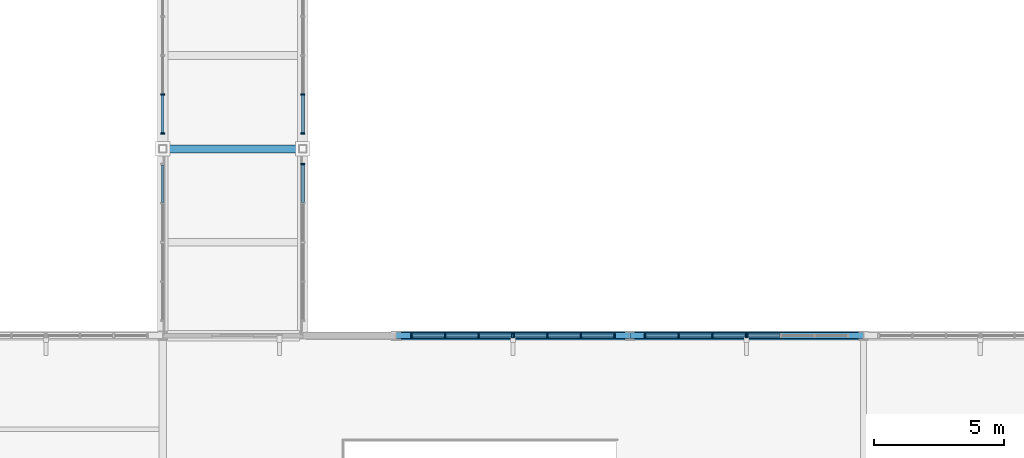
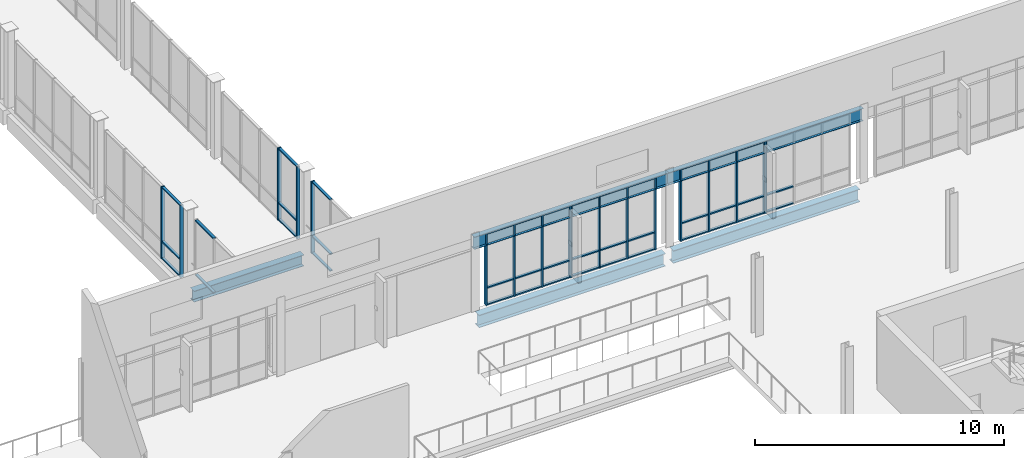
# One storey, part 20 of 85: 58 members, 5 beams, 8 elements without a shape of their own.
"""IFC4 building model written with IfcOpenShell, lengths in metres."""

from ifc_helpers import new_model, si_unit, direction, frame, origin, origin_2d, place, context, subcontext, project, spatial, rectangle, i_section, extrude, material, material_profile, profile_set, type_object, element, aggregate, save


model = new_model("IFC4")

# Units and contexts
model_context = context("Model", 3, precision=1e-05, world=origin(), true_north=direction((0.0, 1.0)))
body_context = subcontext(model_context, "Body", "Model", "MODEL_VIEW")
ifc_project = project(units=[si_unit("LENGTHUNIT", "METRE"), si_unit("AREAUNIT", "SQUARE_METRE"), si_unit("VOLUMEUNIT", "CUBIC_METRE"), si_unit("PLANEANGLEUNIT", "RADIAN"), si_unit("MASSUNIT", "GRAM", prefix="KILO")], contexts=[model_context])

# Site, building, storey
site_placement = place(None, origin())
site = spatial("IfcSite", under=ifc_project, at=site_placement, CompositionType="ELEMENT")
building_placement = place(site_placement, origin())
building = spatial("IfcBuilding", under=site, at=building_placement, Name="Vervanel Yard Central Library", CompositionType="ELEMENT")
storey_placement = place(building_placement, frame((0.0, 0.0, 5.10009765625)))
storey = spatial("IfcBuildingStorey", under=building, at=storey_placement, Name="L01", CompositionType="ELEMENT", Elevation=5.10009765625)

# Curtain wall, members
ifc_material_1 = material(Name="Thermally broken anodized aluminium 6063-T6", Category="aluminium")
curtain_wall_type_1 = type_object("IfcCurtainWallType", Name="Children's Courtyard Curtain Wall", PredefinedType="NOTDEFINED", material=ifc_material_1)
curtain_wall_1_placement = place(storey_placement, origin())
curtain_wall_1 = element("IfcCurtainWall", 1, at=curtain_wall_1_placement, inside=storey, type_object=curtain_wall_type_1, Name="L01 Children's Courtyard Curtain Wall CWR-L01-170", PredefinedType="NOTDEFINED")
ifc_material_profile_1 = material_profile(ifc_material_1, rectangle(XDim=0.06005859375, YDim=0.159912109375, at=origin_2d()), Name="ALU 60x160", Category="aluminium")
ifc_profile_set_1 = profile_set([ifc_material_profile_1], Name="Thermally broken anodized aluminium 6063-T6")
member_type_1 = type_object("IfcMemberType", Name="Bridge & Courtyard Mullion 60x160", PredefinedType="MULLION", material=ifc_profile_set_1)
member_1_placement = place(storey_placement, frame((81.590087890625, 21.60009765625, 0.0), z_axis=(0.0, 0.0, 1.0), x_axis=(1.0, 0.0, 0.0)))
member_1 = element("IfcMember", 2, at=member_1_placement, type_object=member_type_1, Name="CWR-L01-170 Mullion 1", PredefinedType="MULLION", context=body_context, shape_type="SweptSolid", body=[
    extrude(rectangle(XDim=0.06005859375, YDim=0.159912109375, at=origin_2d()), origin(), (0.0, 0.0, 1.0), 3.52978515625),
])
member_2_placement = place(storey_placement, frame((82.88330078125, 21.60009765625, 0.0), z_axis=(0.0, 0.0, 1.0), x_axis=(1.0, 0.0, 0.0)))
member_2 = element("IfcMember", 3, at=member_2_placement, type_object=member_type_1, Name="CWR-L01-170 Mullion 2", PredefinedType="MULLION", context=body_context, shape_type="SweptSolid", body=[
    extrude(rectangle(XDim=0.06005859375, YDim=0.159912109375, at=origin_2d()), origin(), (0.0, 0.0, 1.0), 3.52978515625),
])
member_3_placement = place(storey_placement, frame((84.1767578125, 21.60009765625, 0.0), z_axis=(0.0, 0.0, 1.0), x_axis=(1.0, 0.0, 0.0)))
member_3 = element("IfcMember", 4, at=member_3_placement, type_object=member_type_1, Name="CWR-L01-170 Mullion 3", PredefinedType="MULLION", context=body_context, shape_type="SweptSolid", body=[
    extrude(rectangle(XDim=0.06005859375, YDim=0.159912109375, at=origin_2d()), origin(), (0.0, 0.0, 1.0), 3.52978515625),
])
member_4_placement = place(storey_placement, frame((85.469970703125, 21.60009765625, 0.0), z_axis=(0.0, 0.0, 1.0), x_axis=(1.0, 0.0, 0.0)))
member_4 = element("IfcMember", 5, at=member_4_placement, type_object=member_type_1, Name="CWR-L01-170 Mullion 4", PredefinedType="MULLION", context=body_context, shape_type="SweptSolid", body=[
    extrude(rectangle(XDim=0.06005859375, YDim=0.159912109375, at=origin_2d()), origin(), (0.0, 0.0, 1.0), 3.52978515625),
])

curtain_wall_2_placement = place(storey_placement, origin())
curtain_wall_2 = element("IfcCurtainWall", 6, at=curtain_wall_2_placement, inside=storey, type_object=curtain_wall_type_1, Name="L01 Children's Courtyard Curtain Wall CWR-L01-171", PredefinedType="NOTDEFINED")
member_5_placement = place(storey_placement, frame((85.530029296875, 21.60009765625, 0.0), z_axis=(0.0, 0.0, 1.0), x_axis=(1.0, 0.0, 0.0)))
member_5 = element("IfcMember", 7, at=member_5_placement, type_object=member_type_1, Name="CWR-L01-171 Mullion 1", PredefinedType="MULLION", context=body_context, shape_type="SweptSolid", body=[
    extrude(rectangle(XDim=0.06005859375, YDim=0.159912109375, at=origin_2d()), origin(), (0.0, 0.0, 1.0), 3.52978515625),
])
member_6_placement = place(storey_placement, frame((86.8232421875, 21.60009765625, 0.0), z_axis=(0.0, 0.0, 1.0), x_axis=(1.0, 0.0, 0.0)))
member_6 = element("IfcMember", 8, at=member_6_placement, type_object=member_type_1, Name="CWR-L01-171 Mullion 2", PredefinedType="MULLION", context=body_context, shape_type="SweptSolid", body=[
    extrude(rectangle(XDim=0.06005859375, YDim=0.159912109375, at=origin_2d()), origin(), (0.0, 0.0, 1.0), 3.52978515625),
])
member_7_placement = place(storey_placement, frame((88.11669921875, 21.60009765625, 0.0), z_axis=(0.0, 0.0, 1.0), x_axis=(1.0, 0.0, 0.0)))
member_7 = element("IfcMember", 9, at=member_7_placement, type_object=member_type_1, Name="CWR-L01-171 Mullion 3", PredefinedType="MULLION", context=body_context, shape_type="SweptSolid", body=[
    extrude(rectangle(XDim=0.06005859375, YDim=0.159912109375, at=origin_2d()), origin(), (0.0, 0.0, 1.0), 3.52978515625),
])
member_8_placement = place(storey_placement, frame((89.409912109375, 21.60009765625, 0.0), z_axis=(0.0, 0.0, 1.0), x_axis=(1.0, 0.0, 0.0)))
member_8 = element("IfcMember", 10, at=member_8_placement, type_object=member_type_1, Name="CWR-L01-171 Mullion 4", PredefinedType="MULLION", context=body_context, shape_type="SweptSolid", body=[
    extrude(rectangle(XDim=0.06005859375, YDim=0.159912109375, at=origin_2d()), origin(), (0.0, 0.0, 1.0), 3.52978515625),
])

curtain_wall_3_placement = place(storey_placement, origin())
curtain_wall_3 = element("IfcCurtainWall", 11, at=curtain_wall_3_placement, inside=storey, type_object=curtain_wall_type_1, Name="L01 Children's Courtyard Curtain Wall CWR-L01-172", PredefinedType="NOTDEFINED")
member_9_placement = place(storey_placement, frame((90.590087890625, 21.60009765625, 0.0), z_axis=(0.0, 0.0, 1.0), x_axis=(1.0, 0.0, 0.0)))
member_9 = element("IfcMember", 12, at=member_9_placement, type_object=member_type_1, Name="CWR-L01-172 Mullion 1", PredefinedType="MULLION", context=body_context, shape_type="SweptSolid", body=[
    extrude(rectangle(XDim=0.06005859375, YDim=0.159912109375, at=origin_2d()), origin(), (0.0, 0.0, 1.0), 3.52978515625),
])
member_10_placement = place(storey_placement, frame((91.88330078125, 21.60009765625, 0.0), z_axis=(0.0, 0.0, 1.0), x_axis=(1.0, 0.0, 0.0)))
member_10 = element("IfcMember", 13, at=member_10_placement, type_object=member_type_1, Name="CWR-L01-172 Mullion 2", PredefinedType="MULLION", context=body_context, shape_type="SweptSolid", body=[
    extrude(rectangle(XDim=0.06005859375, YDim=0.159912109375, at=origin_2d()), origin(), (0.0, 0.0, 1.0), 3.52978515625),
])
member_11_placement = place(storey_placement, frame((93.1767578125, 21.60009765625, 0.0), z_axis=(0.0, 0.0, 1.0), x_axis=(1.0, 0.0, 0.0)))
member_11 = element("IfcMember", 14, at=member_11_placement, type_object=member_type_1, Name="CWR-L01-172 Mullion 3", PredefinedType="MULLION", context=body_context, shape_type="SweptSolid", body=[
    extrude(rectangle(XDim=0.06005859375, YDim=0.159912109375, at=origin_2d()), origin(), (0.0, 0.0, 1.0), 3.52978515625),
])
member_12_placement = place(storey_placement, frame((94.469970703125, 21.60009765625, 0.0), z_axis=(0.0, 0.0, 1.0), x_axis=(1.0, 0.0, 0.0)))
member_12 = element("IfcMember", 15, at=member_12_placement, type_object=member_type_1, Name="CWR-L01-172 Mullion 4", PredefinedType="MULLION", context=body_context, shape_type="SweptSolid", body=[
    extrude(rectangle(XDim=0.06005859375, YDim=0.159912109375, at=origin_2d()), origin(), (0.0, 0.0, 1.0), 3.52978515625),
])

# Curtain wall, member
curtain_wall_4_placement = place(storey_placement, origin())
curtain_wall_4 = element("IfcCurtainWall", 16, at=curtain_wall_4_placement, inside=storey, type_object=curtain_wall_type_1, Name="L01 Children's Courtyard Curtain Wall CWR-L01-173", PredefinedType="NOTDEFINED")
member_13_placement = place(storey_placement, frame((94.530029296875, 21.60009765625, 0.0), z_axis=(0.0, 0.0, 1.0), x_axis=(1.0, 0.0, 0.0)))
member_13 = element("IfcMember", 17, at=member_13_placement, type_object=member_type_1, Name="CWR-L01-173 Mullion 1", PredefinedType="MULLION", context=body_context, shape_type="SweptSolid", body=[
    extrude(rectangle(XDim=0.06005859375, YDim=0.159912109375, at=origin_2d()), origin(), (0.0, 0.0, 1.0), 3.52978515625),
])

# Curtain wall, members
curtain_wall_type_2 = type_object("IfcCurtainWallType", Name="Boulevard Cafe & Bridge Curtain Wall", PredefinedType="NOTDEFINED", material=ifc_material_1)
curtain_wall_5_placement = place(storey_placement, origin())
curtain_wall_5 = element("IfcCurtainWall", 18, at=curtain_wall_5_placement, inside=storey, type_object=curtain_wall_type_2, Name="L01 Boulevard Cafe & Bridge Curtain Wall CWR-L01-177", PredefinedType="NOTDEFINED")
member_14_placement = place(storey_placement, frame((72.0, 29.389892578125, 0.0), z_axis=(0.0, 0.0, 1.0), x_axis=(0.0, 1.0, 0.0)))
member_14 = element("IfcMember", 19, at=member_14_placement, type_object=member_type_1, Name="CWR-L01-177 Mullion 1", PredefinedType="MULLION", context=body_context, shape_type="SweptSolid", body=[
    extrude(rectangle(XDim=0.06005859375, YDim=0.159912109375, at=origin_2d()), origin(), (0.0, 0.0, 1.0), 3.52978515625),
])
member_15_placement = place(storey_placement, frame((72.0, 30.89501953125, 0.0), z_axis=(0.0, 0.0, 1.0), x_axis=(0.0, 1.0, 0.0)))
member_15 = element("IfcMember", 20, at=member_15_placement, type_object=member_type_1, Name="CWR-L01-177 Mullion 2", PredefinedType="MULLION", context=body_context, shape_type="SweptSolid", body=[
    extrude(rectangle(XDim=0.06005859375, YDim=0.159912109375, at=origin_2d()), origin(), (0.0, 0.0, 1.0), 3.52978515625),
])

# Curtain wall, member
curtain_wall_6_placement = place(storey_placement, origin())
curtain_wall_6 = element("IfcCurtainWall", 21, at=curtain_wall_6_placement, inside=storey, type_object=curtain_wall_type_2, Name="L01 Boulevard Cafe & Bridge Curtain Wall CWR-L01-184", PredefinedType="NOTDEFINED")
member_16_placement = place(storey_placement, frame((77.39990234375, 28.2099609375, 0.0), z_axis=(0.0, 0.0, 1.0), x_axis=(0.0, 1.0, 0.0)))
member_16 = element("IfcMember", 22, at=member_16_placement, type_object=member_type_1, Name="CWR-L01-184 Mullion 5", PredefinedType="MULLION", context=body_context, shape_type="SweptSolid", body=[
    extrude(rectangle(XDim=0.06005859375, YDim=0.159912109375, at=origin_2d()), origin(), (0.0, 0.0, 1.0), 3.52978515625),
])

# Curtain wall, members
curtain_wall_7_placement = place(storey_placement, origin())
curtain_wall_7 = element("IfcCurtainWall", 23, at=curtain_wall_7_placement, inside=storey, type_object=curtain_wall_type_2, Name="L01 Boulevard Cafe & Bridge Curtain Wall CWR-L01-185", PredefinedType="NOTDEFINED")
member_17_placement = place(storey_placement, frame((77.39990234375, 29.389892578125, 0.0), z_axis=(0.0, 0.0, 1.0), x_axis=(0.0, 1.0, 0.0)))
member_17 = element("IfcMember", 24, at=member_17_placement, type_object=member_type_1, Name="CWR-L01-185 Mullion 1", PredefinedType="MULLION", context=body_context, shape_type="SweptSolid", body=[
    extrude(rectangle(XDim=0.06005859375, YDim=0.159912109375, at=origin_2d()), origin(), (0.0, 0.0, 1.0), 3.52978515625),
])
member_18_placement = place(storey_placement, frame((77.39990234375, 30.89501953125, 0.0), z_axis=(0.0, 0.0, 1.0), x_axis=(0.0, 1.0, 0.0)))
member_18 = element("IfcMember", 25, at=member_18_placement, type_object=member_type_1, Name="CWR-L01-185 Mullion 2", PredefinedType="MULLION", context=body_context, shape_type="SweptSolid", body=[
    extrude(rectangle(XDim=0.06005859375, YDim=0.159912109375, at=origin_2d()), origin(), (0.0, 0.0, 1.0), 3.52978515625),
])

# Member
ifc_material_profile_2 = material_profile(ifc_material_1, rectangle(XDim=0.06005859375, YDim=0.1201171875, at=origin_2d()), Name="ALU 60x120", Category="aluminium")
ifc_profile_set_2 = profile_set([ifc_material_profile_2], Name="Thermally broken anodized aluminium 6063-T6")
member_type_2 = type_object("IfcMemberType", Name="Bridge & Courtyard Transom 60x120", PredefinedType="NOTDEFINED", material=ifc_profile_set_2)
member_19_placement = place(storey_placement, frame((81.6201171875, 21.60009765625, 0.02978515625), z_axis=(1.0, 0.0, 0.0), x_axis=(0.0, 0.0, 1.0)))
member_19 = element("IfcMember", 26, at=member_19_placement, type_object=member_type_2, Name="CWR-L01-170 Transom B1-T1", ObjectType="TRANSOM", PredefinedType="USERDEFINED", context=body_context, shape_type="SweptSolid", body=[
    extrude(rectangle(XDim=0.06005859375, YDim=0.1201171875, at=origin_2d()), origin(), (0.0, 0.0, 1.0), 1.233154296875),
])

member_20_placement = place(storey_placement, frame((81.6201171875, 21.60009765625, 0.849853515625), z_axis=(1.0, 0.0, 0.0), x_axis=(0.0, 0.0, 1.0)))
member_20 = element("IfcMember", 27, at=member_20_placement, type_object=member_type_2, Name="CWR-L01-170 Transom B1-T2", ObjectType="TRANSOM", PredefinedType="USERDEFINED", context=body_context, shape_type="SweptSolid", body=[
    extrude(rectangle(XDim=0.06005859375, YDim=0.1201171875, at=origin_2d()), origin(), (0.0, 0.0, 1.0), 1.233154296875),
])

member_21_placement = place(storey_placement, frame((81.6201171875, 21.60009765625, 3.5), z_axis=(1.0, 0.0, 0.0), x_axis=(0.0, 0.0, 1.0)))
member_21 = element("IfcMember", 28, at=member_21_placement, type_object=member_type_2, Name="CWR-L01-170 Transom B1-T3", ObjectType="TRANSOM", PredefinedType="USERDEFINED", context=body_context, shape_type="SweptSolid", body=[
    extrude(rectangle(XDim=0.06005859375, YDim=0.1201171875, at=origin_2d()), origin(), (0.0, 0.0, 1.0), 1.233154296875),
])

member_22_placement = place(storey_placement, frame((82.913330078125, 21.60009765625, 0.02978515625), z_axis=(1.0, 0.0, 0.0), x_axis=(0.0, 0.0, 1.0)))
member_22 = element("IfcMember", 29, at=member_22_placement, type_object=member_type_2, Name="CWR-L01-170 Transom B2-T1", ObjectType="TRANSOM", PredefinedType="USERDEFINED", context=body_context, shape_type="SweptSolid", body=[
    extrude(rectangle(XDim=0.06005859375, YDim=0.1201171875, at=origin_2d()), origin(), (0.0, 0.0, 1.0), 1.2333984375),
])

member_23_placement = place(storey_placement, frame((82.913330078125, 21.60009765625, 0.849853515625), z_axis=(1.0, 0.0, 0.0), x_axis=(0.0, 0.0, 1.0)))
member_23 = element("IfcMember", 30, at=member_23_placement, type_object=member_type_2, Name="CWR-L01-170 Transom B2-T2", ObjectType="TRANSOM", PredefinedType="USERDEFINED", context=body_context, shape_type="SweptSolid", body=[
    extrude(rectangle(XDim=0.06005859375, YDim=0.1201171875, at=origin_2d()), origin(), (0.0, 0.0, 1.0), 1.2333984375),
])

member_24_placement = place(storey_placement, frame((82.913330078125, 21.60009765625, 3.5), z_axis=(1.0, 0.0, 0.0), x_axis=(0.0, 0.0, 1.0)))
member_24 = element("IfcMember", 31, at=member_24_placement, type_object=member_type_2, Name="CWR-L01-170 Transom B2-T3", ObjectType="TRANSOM", PredefinedType="USERDEFINED", context=body_context, shape_type="SweptSolid", body=[
    extrude(rectangle(XDim=0.06005859375, YDim=0.1201171875, at=origin_2d()), origin(), (0.0, 0.0, 1.0), 1.2333984375),
])

member_25_placement = place(storey_placement, frame((84.206787109375, 21.60009765625, 0.02978515625), z_axis=(1.0, 0.0, 0.0), x_axis=(0.0, 0.0, 1.0)))
member_25 = element("IfcMember", 32, at=member_25_placement, type_object=member_type_2, Name="CWR-L01-170 Transom B3-T1", ObjectType="TRANSOM", PredefinedType="USERDEFINED", context=body_context, shape_type="SweptSolid", body=[
    extrude(rectangle(XDim=0.06005859375, YDim=0.1201171875, at=origin_2d()), origin(), (0.0, 0.0, 1.0), 1.233154296875),
])

member_26_placement = place(storey_placement, frame((84.206787109375, 21.60009765625, 0.849853515625), z_axis=(1.0, 0.0, 0.0), x_axis=(0.0, 0.0, 1.0)))
member_26 = element("IfcMember", 33, at=member_26_placement, type_object=member_type_2, Name="CWR-L01-170 Transom B3-T2", ObjectType="TRANSOM", PredefinedType="USERDEFINED", context=body_context, shape_type="SweptSolid", body=[
    extrude(rectangle(XDim=0.06005859375, YDim=0.1201171875, at=origin_2d()), origin(), (0.0, 0.0, 1.0), 1.233154296875),
])

member_27_placement = place(storey_placement, frame((84.206787109375, 21.60009765625, 3.5), z_axis=(1.0, 0.0, 0.0), x_axis=(0.0, 0.0, 1.0)))
member_27 = element("IfcMember", 34, at=member_27_placement, type_object=member_type_2, Name="CWR-L01-170 Transom B3-T3", ObjectType="TRANSOM", PredefinedType="USERDEFINED", context=body_context, shape_type="SweptSolid", body=[
    extrude(rectangle(XDim=0.06005859375, YDim=0.1201171875, at=origin_2d()), origin(), (0.0, 0.0, 1.0), 1.233154296875),
])

aggregate(curtain_wall_1, [member_1, member_2, member_3, member_4, member_19, member_20, member_21, member_22, member_23, member_24, member_25, member_26, member_27])

member_28_placement = place(storey_placement, frame((85.56005859375, 21.60009765625, 0.02978515625), z_axis=(1.0, 0.0, 0.0), x_axis=(0.0, 0.0, 1.0)))
member_28 = element("IfcMember", 35, at=member_28_placement, type_object=member_type_2, Name="CWR-L01-171 Transom B1-T1", ObjectType="TRANSOM", PredefinedType="USERDEFINED", context=body_context, shape_type="SweptSolid", body=[
    extrude(rectangle(XDim=0.06005859375, YDim=0.1201171875, at=origin_2d()), origin(), (0.0, 0.0, 1.0), 1.233154296875),
])

member_29_placement = place(storey_placement, frame((85.56005859375, 21.60009765625, 0.849853515625), z_axis=(1.0, 0.0, 0.0), x_axis=(0.0, 0.0, 1.0)))
member_29 = element("IfcMember", 36, at=member_29_placement, type_object=member_type_2, Name="CWR-L01-171 Transom B1-T2", ObjectType="TRANSOM", PredefinedType="USERDEFINED", context=body_context, shape_type="SweptSolid", body=[
    extrude(rectangle(XDim=0.06005859375, YDim=0.1201171875, at=origin_2d()), origin(), (0.0, 0.0, 1.0), 1.233154296875),
])

member_30_placement = place(storey_placement, frame((85.56005859375, 21.60009765625, 3.5), z_axis=(1.0, 0.0, 0.0), x_axis=(0.0, 0.0, 1.0)))
member_30 = element("IfcMember", 37, at=member_30_placement, type_object=member_type_2, Name="CWR-L01-171 Transom B1-T3", ObjectType="TRANSOM", PredefinedType="USERDEFINED", context=body_context, shape_type="SweptSolid", body=[
    extrude(rectangle(XDim=0.06005859375, YDim=0.1201171875, at=origin_2d()), origin(), (0.0, 0.0, 1.0), 1.233154296875),
])

member_31_placement = place(storey_placement, frame((86.853271484375, 21.60009765625, 0.02978515625), z_axis=(1.0, 0.0, 0.0), x_axis=(0.0, 0.0, 1.0)))
member_31 = element("IfcMember", 38, at=member_31_placement, type_object=member_type_2, Name="CWR-L01-171 Transom B2-T1", ObjectType="TRANSOM", PredefinedType="USERDEFINED", context=body_context, shape_type="SweptSolid", body=[
    extrude(rectangle(XDim=0.06005859375, YDim=0.1201171875, at=origin_2d()), origin(), (0.0, 0.0, 1.0), 1.2333984375),
])

member_32_placement = place(storey_placement, frame((86.853271484375, 21.60009765625, 0.849853515625), z_axis=(1.0, 0.0, 0.0), x_axis=(0.0, 0.0, 1.0)))
member_32 = element("IfcMember", 39, at=member_32_placement, type_object=member_type_2, Name="CWR-L01-171 Transom B2-T2", ObjectType="TRANSOM", PredefinedType="USERDEFINED", context=body_context, shape_type="SweptSolid", body=[
    extrude(rectangle(XDim=0.06005859375, YDim=0.1201171875, at=origin_2d()), origin(), (0.0, 0.0, 1.0), 1.2333984375),
])

member_33_placement = place(storey_placement, frame((86.853271484375, 21.60009765625, 3.5), z_axis=(1.0, 0.0, 0.0), x_axis=(0.0, 0.0, 1.0)))
member_33 = element("IfcMember", 40, at=member_33_placement, type_object=member_type_2, Name="CWR-L01-171 Transom B2-T3", ObjectType="TRANSOM", PredefinedType="USERDEFINED", context=body_context, shape_type="SweptSolid", body=[
    extrude(rectangle(XDim=0.06005859375, YDim=0.1201171875, at=origin_2d()), origin(), (0.0, 0.0, 1.0), 1.2333984375),
])

member_34_placement = place(storey_placement, frame((88.146728515625, 21.60009765625, 0.02978515625), z_axis=(1.0, 0.0, 0.0), x_axis=(0.0, 0.0, 1.0)))
member_34 = element("IfcMember", 41, at=member_34_placement, type_object=member_type_2, Name="CWR-L01-171 Transom B3-T1", ObjectType="TRANSOM", PredefinedType="USERDEFINED", context=body_context, shape_type="SweptSolid", body=[
    extrude(rectangle(XDim=0.06005859375, YDim=0.1201171875, at=origin_2d()), origin(), (0.0, 0.0, 1.0), 1.233154296875),
])

member_35_placement = place(storey_placement, frame((88.146728515625, 21.60009765625, 0.849853515625), z_axis=(1.0, 0.0, 0.0), x_axis=(0.0, 0.0, 1.0)))
member_35 = element("IfcMember", 42, at=member_35_placement, type_object=member_type_2, Name="CWR-L01-171 Transom B3-T2", ObjectType="TRANSOM", PredefinedType="USERDEFINED", context=body_context, shape_type="SweptSolid", body=[
    extrude(rectangle(XDim=0.06005859375, YDim=0.1201171875, at=origin_2d()), origin(), (0.0, 0.0, 1.0), 1.233154296875),
])

member_36_placement = place(storey_placement, frame((88.146728515625, 21.60009765625, 3.5), z_axis=(1.0, 0.0, 0.0), x_axis=(0.0, 0.0, 1.0)))
member_36 = element("IfcMember", 43, at=member_36_placement, type_object=member_type_2, Name="CWR-L01-171 Transom B3-T3", ObjectType="TRANSOM", PredefinedType="USERDEFINED", context=body_context, shape_type="SweptSolid", body=[
    extrude(rectangle(XDim=0.06005859375, YDim=0.1201171875, at=origin_2d()), origin(), (0.0, 0.0, 1.0), 1.233154296875),
])

aggregate(curtain_wall_2, [member_5, member_6, member_7, member_8, member_28, member_29, member_30, member_31, member_32, member_33, member_34, member_35, member_36])

member_37_placement = place(storey_placement, frame((90.6201171875, 21.60009765625, 0.02978515625), z_axis=(1.0, 0.0, 0.0), x_axis=(0.0, 0.0, 1.0)))
member_37 = element("IfcMember", 44, at=member_37_placement, type_object=member_type_2, Name="CWR-L01-172 Transom B1-T1", ObjectType="TRANSOM", PredefinedType="USERDEFINED", context=body_context, shape_type="SweptSolid", body=[
    extrude(rectangle(XDim=0.06005859375, YDim=0.1201171875, at=origin_2d()), origin(), (0.0, 0.0, 1.0), 1.233154296875),
])

member_38_placement = place(storey_placement, frame((90.6201171875, 21.60009765625, 0.849853515625), z_axis=(1.0, 0.0, 0.0), x_axis=(0.0, 0.0, 1.0)))
member_38 = element("IfcMember", 45, at=member_38_placement, type_object=member_type_2, Name="CWR-L01-172 Transom B1-T2", ObjectType="TRANSOM", PredefinedType="USERDEFINED", context=body_context, shape_type="SweptSolid", body=[
    extrude(rectangle(XDim=0.06005859375, YDim=0.1201171875, at=origin_2d()), origin(), (0.0, 0.0, 1.0), 1.233154296875),
])

member_39_placement = place(storey_placement, frame((90.6201171875, 21.60009765625, 3.5), z_axis=(1.0, 0.0, 0.0), x_axis=(0.0, 0.0, 1.0)))
member_39 = element("IfcMember", 46, at=member_39_placement, type_object=member_type_2, Name="CWR-L01-172 Transom B1-T3", ObjectType="TRANSOM", PredefinedType="USERDEFINED", context=body_context, shape_type="SweptSolid", body=[
    extrude(rectangle(XDim=0.06005859375, YDim=0.1201171875, at=origin_2d()), origin(), (0.0, 0.0, 1.0), 1.233154296875),
])

member_40_placement = place(storey_placement, frame((91.913330078125, 21.60009765625, 0.02978515625), z_axis=(1.0, 0.0, 0.0), x_axis=(0.0, 0.0, 1.0)))
member_40 = element("IfcMember", 47, at=member_40_placement, type_object=member_type_2, Name="CWR-L01-172 Transom B2-T1", ObjectType="TRANSOM", PredefinedType="USERDEFINED", context=body_context, shape_type="SweptSolid", body=[
    extrude(rectangle(XDim=0.06005859375, YDim=0.1201171875, at=origin_2d()), origin(), (0.0, 0.0, 1.0), 1.2333984375),
])

member_41_placement = place(storey_placement, frame((91.913330078125, 21.60009765625, 0.849853515625), z_axis=(1.0, 0.0, 0.0), x_axis=(0.0, 0.0, 1.0)))
member_41 = element("IfcMember", 48, at=member_41_placement, type_object=member_type_2, Name="CWR-L01-172 Transom B2-T2", ObjectType="TRANSOM", PredefinedType="USERDEFINED", context=body_context, shape_type="SweptSolid", body=[
    extrude(rectangle(XDim=0.06005859375, YDim=0.1201171875, at=origin_2d()), origin(), (0.0, 0.0, 1.0), 1.2333984375),
])

member_42_placement = place(storey_placement, frame((91.913330078125, 21.60009765625, 3.5), z_axis=(1.0, 0.0, 0.0), x_axis=(0.0, 0.0, 1.0)))
member_42 = element("IfcMember", 49, at=member_42_placement, type_object=member_type_2, Name="CWR-L01-172 Transom B2-T3", ObjectType="TRANSOM", PredefinedType="USERDEFINED", context=body_context, shape_type="SweptSolid", body=[
    extrude(rectangle(XDim=0.06005859375, YDim=0.1201171875, at=origin_2d()), origin(), (0.0, 0.0, 1.0), 1.2333984375),
])

member_43_placement = place(storey_placement, frame((93.206787109375, 21.60009765625, 0.02978515625), z_axis=(1.0, 0.0, 0.0), x_axis=(0.0, 0.0, 1.0)))
member_43 = element("IfcMember", 50, at=member_43_placement, type_object=member_type_2, Name="CWR-L01-172 Transom B3-T1", ObjectType="TRANSOM", PredefinedType="USERDEFINED", context=body_context, shape_type="SweptSolid", body=[
    extrude(rectangle(XDim=0.06005859375, YDim=0.1201171875, at=origin_2d()), origin(), (0.0, 0.0, 1.0), 1.233154296875),
])

member_44_placement = place(storey_placement, frame((93.206787109375, 21.60009765625, 0.849853515625), z_axis=(1.0, 0.0, 0.0), x_axis=(0.0, 0.0, 1.0)))
member_44 = element("IfcMember", 51, at=member_44_placement, type_object=member_type_2, Name="CWR-L01-172 Transom B3-T2", ObjectType="TRANSOM", PredefinedType="USERDEFINED", context=body_context, shape_type="SweptSolid", body=[
    extrude(rectangle(XDim=0.06005859375, YDim=0.1201171875, at=origin_2d()), origin(), (0.0, 0.0, 1.0), 1.233154296875),
])

member_45_placement = place(storey_placement, frame((93.206787109375, 21.60009765625, 3.5), z_axis=(1.0, 0.0, 0.0), x_axis=(0.0, 0.0, 1.0)))
member_45 = element("IfcMember", 52, at=member_45_placement, type_object=member_type_2, Name="CWR-L01-172 Transom B3-T3", ObjectType="TRANSOM", PredefinedType="USERDEFINED", context=body_context, shape_type="SweptSolid", body=[
    extrude(rectangle(XDim=0.06005859375, YDim=0.1201171875, at=origin_2d()), origin(), (0.0, 0.0, 1.0), 1.233154296875),
])

aggregate(curtain_wall_3, [member_9, member_10, member_11, member_12, member_37, member_38, member_39, member_40, member_41, member_42, member_43, member_44, member_45])

member_46_placement = place(storey_placement, frame((94.56005859375, 21.60009765625, 0.02978515625), z_axis=(1.0, 0.0, 0.0), x_axis=(0.0, 0.0, 1.0)))
member_46 = element("IfcMember", 53, at=member_46_placement, type_object=member_type_2, Name="CWR-L01-173 Transom B1-T1", ObjectType="TRANSOM", PredefinedType="USERDEFINED", context=body_context, shape_type="SweptSolid", body=[
    extrude(rectangle(XDim=0.06005859375, YDim=0.1201171875, at=origin_2d()), origin(), (0.0, 0.0, 1.0), 1.233154296875),
])

member_47_placement = place(storey_placement, frame((94.56005859375, 21.60009765625, 0.849853515625), z_axis=(1.0, 0.0, 0.0), x_axis=(0.0, 0.0, 1.0)))
member_47 = element("IfcMember", 54, at=member_47_placement, type_object=member_type_2, Name="CWR-L01-173 Transom B1-T2", ObjectType="TRANSOM", PredefinedType="USERDEFINED", context=body_context, shape_type="SweptSolid", body=[
    extrude(rectangle(XDim=0.06005859375, YDim=0.1201171875, at=origin_2d()), origin(), (0.0, 0.0, 1.0), 1.233154296875),
])

aggregate(curtain_wall_4, [member_13, member_46, member_47])

# Curtain wall, members
curtain_wall_8_placement = place(storey_placement, origin())
curtain_wall_8 = element("IfcCurtainWall", 55, at=curtain_wall_8_placement, inside=storey, type_object=curtain_wall_type_2, Name="L01 Boulevard Cafe & Bridge Curtain Wall CWR-L01-176", PredefinedType="NOTDEFINED")
member_48_placement = place(storey_placement, frame((72.0, 26.735107421875, 0.849853515625), z_axis=(0.0, 1.0, 0.0), x_axis=(0.0, 0.0, 1.0)))
member_48 = element("IfcMember", 56, at=member_48_placement, type_object=member_type_2, Name="CWR-L01-176 Transom B4-T2", ObjectType="TRANSOM", PredefinedType="USERDEFINED", context=body_context, shape_type="SweptSolid", body=[
    extrude(rectangle(XDim=0.06005859375, YDim=0.1201171875, at=origin_2d()), origin(), (0.0, 0.0, 1.0), 1.44482421875),
])
member_49_placement = place(storey_placement, frame((72.0, 26.735107421875, 3.5), z_axis=(0.0, 1.0, 0.0), x_axis=(0.0, 0.0, 1.0)))
member_49 = element("IfcMember", 57, at=member_49_placement, type_object=member_type_2, Name="CWR-L01-176 Transom B4-T3", ObjectType="TRANSOM", PredefinedType="USERDEFINED", context=body_context, shape_type="SweptSolid", body=[
    extrude(rectangle(XDim=0.06005859375, YDim=0.1201171875, at=origin_2d()), origin(), (0.0, 0.0, 1.0), 1.44482421875),
])
aggregate(curtain_wall_8, [member_48, member_49])

# Member
member_50_placement = place(storey_placement, frame((72.0, 29.419921875, 0.02978515625), z_axis=(0.0, 1.0, 0.0), x_axis=(0.0, 0.0, 1.0)))
member_50 = element("IfcMember", 58, at=member_50_placement, type_object=member_type_2, Name="CWR-L01-177 Transom B1-T1", ObjectType="TRANSOM", PredefinedType="USERDEFINED", context=body_context, shape_type="SweptSolid", body=[
    extrude(rectangle(XDim=0.06005859375, YDim=0.1201171875, at=origin_2d()), origin(), (0.0, 0.0, 1.0), 1.445068359375),
])

member_51_placement = place(storey_placement, frame((72.0, 29.419921875, 0.849853515625), z_axis=(0.0, 1.0, 0.0), x_axis=(0.0, 0.0, 1.0)))
member_51 = element("IfcMember", 59, at=member_51_placement, type_object=member_type_2, Name="CWR-L01-177 Transom B1-T2", ObjectType="TRANSOM", PredefinedType="USERDEFINED", context=body_context, shape_type="SweptSolid", body=[
    extrude(rectangle(XDim=0.06005859375, YDim=0.1201171875, at=origin_2d()), origin(), (0.0, 0.0, 1.0), 1.445068359375),
])

member_52_placement = place(storey_placement, frame((72.0, 29.419921875, 3.5), z_axis=(0.0, 1.0, 0.0), x_axis=(0.0, 0.0, 1.0)))
member_52 = element("IfcMember", 60, at=member_52_placement, type_object=member_type_2, Name="CWR-L01-177 Transom B1-T3", ObjectType="TRANSOM", PredefinedType="USERDEFINED", context=body_context, shape_type="SweptSolid", body=[
    extrude(rectangle(XDim=0.06005859375, YDim=0.1201171875, at=origin_2d()), origin(), (0.0, 0.0, 1.0), 1.445068359375),
])

aggregate(curtain_wall_5, [member_14, member_15, member_50, member_51, member_52])

member_53_placement = place(storey_placement, frame((77.39990234375, 26.735107421875, 0.02978515625), z_axis=(0.0, 1.0, 0.0), x_axis=(0.0, 0.0, 1.0)))
member_53 = element("IfcMember", 61, at=member_53_placement, type_object=member_type_2, Name="CWR-L01-184 Transom B4-T1", ObjectType="TRANSOM", PredefinedType="USERDEFINED", context=body_context, shape_type="SweptSolid", body=[
    extrude(rectangle(XDim=0.06005859375, YDim=0.1201171875, at=origin_2d()), origin(), (0.0, 0.0, 1.0), 1.44482421875),
])

member_54_placement = place(storey_placement, frame((77.39990234375, 26.735107421875, 0.849853515625), z_axis=(0.0, 1.0, 0.0), x_axis=(0.0, 0.0, 1.0)))
member_54 = element("IfcMember", 62, at=member_54_placement, type_object=member_type_2, Name="CWR-L01-184 Transom B4-T2", ObjectType="TRANSOM", PredefinedType="USERDEFINED", context=body_context, shape_type="SweptSolid", body=[
    extrude(rectangle(XDim=0.06005859375, YDim=0.1201171875, at=origin_2d()), origin(), (0.0, 0.0, 1.0), 1.44482421875),
])

member_55_placement = place(storey_placement, frame((77.39990234375, 26.735107421875, 3.5), z_axis=(0.0, 1.0, 0.0), x_axis=(0.0, 0.0, 1.0)))
member_55 = element("IfcMember", 63, at=member_55_placement, type_object=member_type_2, Name="CWR-L01-184 Transom B4-T3", ObjectType="TRANSOM", PredefinedType="USERDEFINED", context=body_context, shape_type="SweptSolid", body=[
    extrude(rectangle(XDim=0.06005859375, YDim=0.1201171875, at=origin_2d()), origin(), (0.0, 0.0, 1.0), 1.44482421875),
])

aggregate(curtain_wall_6, [member_16, member_53, member_54, member_55])

member_56_placement = place(storey_placement, frame((77.39990234375, 29.419921875, 0.02978515625), z_axis=(0.0, 1.0, 0.0), x_axis=(0.0, 0.0, 1.0)))
member_56 = element("IfcMember", 64, at=member_56_placement, type_object=member_type_2, Name="CWR-L01-185 Transom B1-T1", ObjectType="TRANSOM", PredefinedType="USERDEFINED", context=body_context, shape_type="SweptSolid", body=[
    extrude(rectangle(XDim=0.06005859375, YDim=0.1201171875, at=origin_2d()), origin(), (0.0, 0.0, 1.0), 1.445068359375),
])

member_57_placement = place(storey_placement, frame((77.39990234375, 29.419921875, 0.849853515625), z_axis=(0.0, 1.0, 0.0), x_axis=(0.0, 0.0, 1.0)))
member_57 = element("IfcMember", 65, at=member_57_placement, type_object=member_type_2, Name="CWR-L01-185 Transom B1-T2", ObjectType="TRANSOM", PredefinedType="USERDEFINED", context=body_context, shape_type="SweptSolid", body=[
    extrude(rectangle(XDim=0.06005859375, YDim=0.1201171875, at=origin_2d()), origin(), (0.0, 0.0, 1.0), 1.445068359375),
])

member_58_placement = place(storey_placement, frame((77.39990234375, 29.419921875, 3.5), z_axis=(0.0, 1.0, 0.0), x_axis=(0.0, 0.0, 1.0)))
member_58 = element("IfcMember", 66, at=member_58_placement, type_object=member_type_2, Name="CWR-L01-185 Transom B1-T3", ObjectType="TRANSOM", PredefinedType="USERDEFINED", context=body_context, shape_type="SweptSolid", body=[
    extrude(rectangle(XDim=0.06005859375, YDim=0.1201171875, at=origin_2d()), origin(), (0.0, 0.0, 1.0), 1.445068359375),
])

aggregate(curtain_wall_7, [member_17, member_18, member_56, member_57, member_58])

# Beams
ifc_material_2 = material(Name="Steel ASTM A992 Grade 50", Category="steel")
ifc_material_profile_3 = material_profile(ifc_material_2, i_section(OverallWidth=0.3125, OverallDepth=0.54345703125, WebThickness=0.0126953125, FlangeThickness=0.020263671875, at=origin_2d()), Name="W21X101", Category="steel")
ifc_profile_set_3 = profile_set([ifc_material_profile_3], Name="Steel ASTM A992 Grade 50")
beam_type_1 = type_object("IfcBeamType", Name="Steel Bridge Girder W21X101", PredefinedType="BEAM", material=ifc_profile_set_3)
beam_placement = place(storey_placement, frame((72.159912109375, 28.800048828125, -0.576904296875), z_axis=(1.0, 0.0, 0.0), x_axis=(0.0, 1.0, 0.0)))
element("IfcBeam", 67, at=beam_placement, inside=storey, type_object=beam_type_1, Name="L01 Courtyard Reading Bridge Transverse Girder SB-07-1", PredefinedType="BEAM", context=body_context, shape_type="SweptSolid", body=[
    extrude(i_section(OverallWidth=0.3125, OverallDepth=0.54345703125, WebThickness=0.0126953125, FlangeThickness=0.020263671875, at=origin_2d()), origin(), (0.0, 0.0, 1.0), 5.080078125),
])
ifc_material_profile_4 = material_profile(ifc_material_2, i_section(OverallWidth=0.32763671875, OverallDepth=0.622314453125, WebThickness=0.015380859375, FlangeThickness=0.0244140625, at=origin_2d()), Name="W24X131", Category="steel")
ifc_profile_set_4 = profile_set([ifc_material_profile_4], Name="Steel ASTM A992 Grade 50")
beam_type_2 = type_object("IfcBeamType", Name="Steel Primary Girder W24X131", PredefinedType="BEAM", material=ifc_profile_set_4)
for number, where, z_axis, x_axis, name in (
    (68, (81.18408203125, 21.60009765625, -0.581298828125), (1.0, 0.0, 0.0), (0.0, 1.0, 0.0), "L01 Girder SB-02 Y=21.6 X=81.0-90.0"),
    (69, (90.18408203125, 21.60009765625, -0.581298828125), (1.0, 0.0, 0.0), (0.0, 1.0, 0.0), "L01 Girder SB-02 Y=21.6 X=90.0-99.0"),
):
    element("IfcBeam", number, at=place(storey_placement, frame(where, z_axis=z_axis, x_axis=x_axis)), inside=storey, type_object=beam_type_2, Name=name, PredefinedType="BEAM", context=body_context, shape_type="SweptSolid", body=[
        extrude(i_section(OverallWidth=0.32763671875, OverallDepth=0.622314453125, WebThickness=0.015380859375, FlangeThickness=0.0244140625, at=origin_2d()), origin(), (0.0, 0.0, 1.0), 8.6318359375),
    ])
ifc_material_profile_5 = material_profile(ifc_material_2, i_section(OverallWidth=0.22900390625, OverallDepth=0.612060546875, WebThickness=0.011962890625, FlangeThickness=0.01953125, at=origin_2d()), Name="W24X84", Category="steel")
ifc_profile_set_5 = profile_set([ifc_material_profile_5], Name="Steel ASTM A992 Grade 50")
beam_type_3 = type_object("IfcBeamType", Name="Steel Primary Girder W24X84", PredefinedType="BEAM", material=ifc_profile_set_5)
for number, where, z_axis, x_axis, name in (
    (70, (81.0, 21.60009765625, 3.27978515625), (1.0, 0.0, 0.0), (0.0, 1.0, 0.0), "L01 V5 North Clerestory Carrier Girder 81-90"),
    (71, (90.0, 21.60009765625, 3.27978515625), (1.0, 0.0, 0.0), (0.0, 1.0, 0.0), "L01 V5 North Clerestory Carrier Girder 90-99"),
):
    element("IfcBeam", number, at=place(storey_placement, frame(where, z_axis=z_axis, x_axis=x_axis)), inside=storey, type_object=beam_type_3, Name=name, PredefinedType="BEAM", context=body_context, shape_type="SweptSolid", body=[
        extrude(i_section(OverallWidth=0.22900390625, OverallDepth=0.612060546875, WebThickness=0.011962890625, FlangeThickness=0.01953125, at=origin_2d()), origin(), (0.0, 0.0, 1.0), 9.0),
    ])

save(model, "model.ifc")
